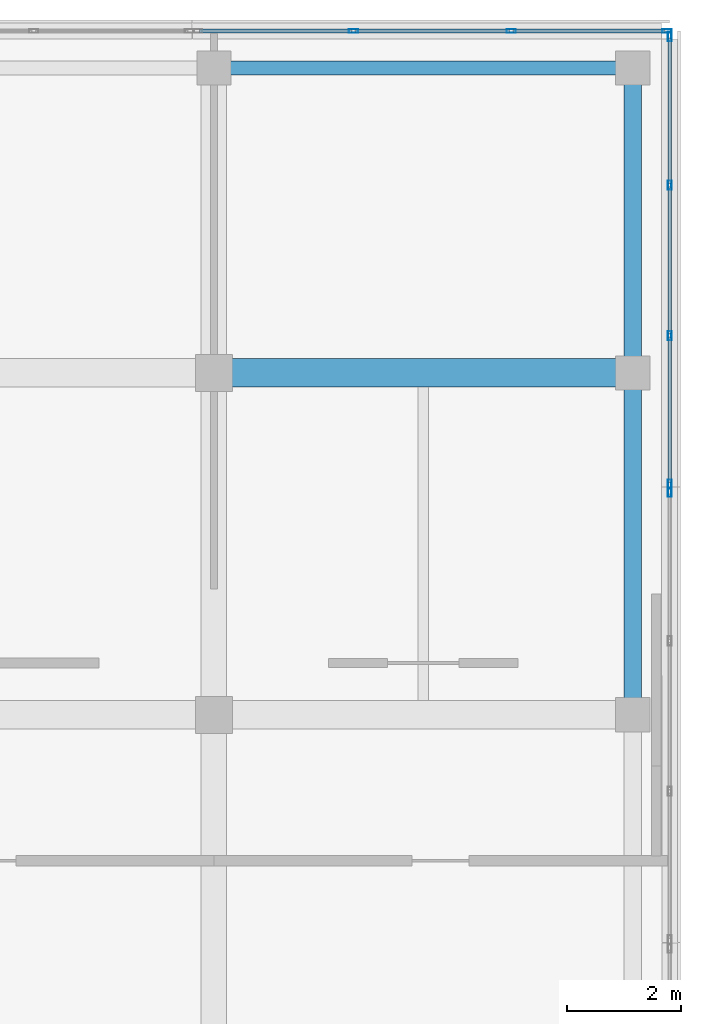
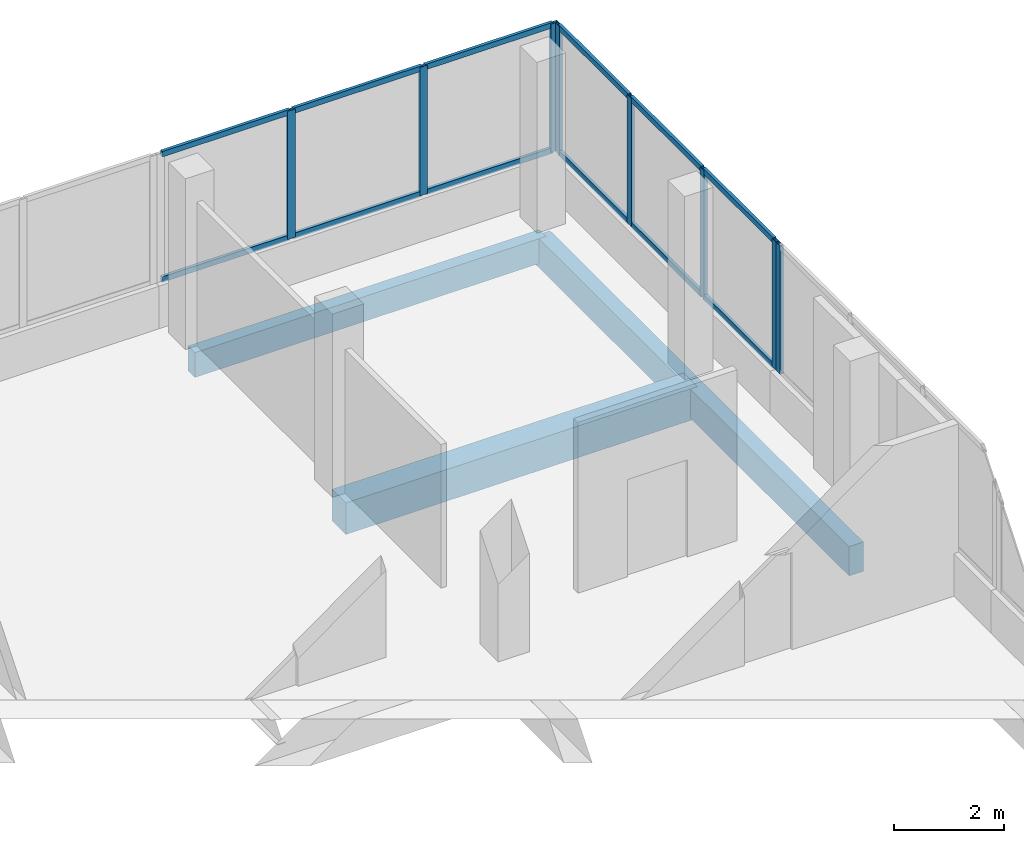
# One storey, part 58 of 78: 20 members, 4 beams, 3 elements without a shape of their own.
"""IFC4 building model written with IfcOpenShell, lengths in metres."""

from ifc_helpers import new_model, si_unit, direction, frame, origin, origin_2d, place, context, subcontext, project, spatial, rectangle, hollow_rectangle, extrude, material, material_profile, profile_set, type_object, element, aggregate, save


model = new_model("IFC4")

# Units and contexts
model_context = context("Model", 3, precision=1e-05, world=origin(), true_north=direction((0.0, 1.0)))
body_context = subcontext(model_context, "Body", "Model", "MODEL_VIEW")
ifc_project = project(units=[si_unit("LENGTHUNIT", "METRE"), si_unit("AREAUNIT", "SQUARE_METRE"), si_unit("VOLUMEUNIT", "CUBIC_METRE"), si_unit("PLANEANGLEUNIT", "RADIAN"), si_unit("MASSUNIT", "GRAM", prefix="KILO")], contexts=[model_context])

# Site, building, storey
site_placement = place(None, origin())
site = spatial("IfcSite", under=ifc_project, at=site_placement, CompositionType="ELEMENT")
building_placement = place(site_placement, origin())
building = spatial("IfcBuilding", under=site, at=building_placement, Name="Selatvlak General Hospital", CompositionType="ELEMENT")
storey_placement = place(building_placement, frame((0.0, 0.0, 23.25)))
storey = spatial("IfcBuildingStorey", under=building, at=storey_placement, Name="L05", CompositionType="ELEMENT", Elevation=23.25)

# Beams
ifc_material_1 = material(Name="Concrete C40/50", Category="concrete")
ifc_material_profile_1 = material_profile(ifc_material_1, rectangle(XDim=0.5, YDim=0.699951171875, at=origin_2d()), Name="RC-BM 500x700")
ifc_profile_set_1 = profile_set([ifc_material_profile_1], Name="Concrete C40/50")
beam_type_1 = type_object("IfcBeamType", Name="BM-G03", PredefinedType="BEAM", material=ifc_profile_set_1)
beam_1_placement = place(storey_placement, frame((174.0, 114.0, -0.6298828125), z_axis=(1.0, 0.0, 0.0), x_axis=(0.0, 1.0, 0.0)))
element("IfcBeam", 1, at=beam_1_placement, inside=storey, type_object=beam_type_1, Name="Beam BMR-L05-1972", PredefinedType="BEAM", context=body_context, shape_type="SweptSolid", body=[
    extrude(rectangle(XDim=0.5, YDim=0.699951171875, at=origin_2d()), origin(), (0.0, 0.0, 1.0), 7.35009765625),
])
ifc_material_profile_2 = material_profile(ifc_material_1, rectangle(XDim=0.300048828125, YDim=0.64990234375, at=origin_2d()), Name="RC-SP 300x650")
ifc_profile_set_2 = profile_set([ifc_material_profile_2], Name="Concrete C40/50")
beam_type_2 = type_object("IfcBeamType", Name="BM-SP1", PredefinedType="SPANDREL", material=ifc_profile_set_2)
beam_2_placement = place(storey_placement, frame((181.35009765625, 108.0, -0.60498046875), z_axis=(0.0, 1.0, 0.0), x_axis=(-1.0, 0.0, 0.0)))
element("IfcBeam", 2, at=beam_2_placement, inside=storey, type_object=beam_type_2, Name="Beam BMR-L05-2113", PredefinedType="SPANDREL", context=body_context, shape_type="SweptSolid", body=[
    extrude(rectangle(XDim=0.300048828125, YDim=0.64990234375, at=origin_2d()), origin(), (0.0, 0.0, 1.0), 6.0),
])
beam_3_placement = place(storey_placement, frame((181.35009765625, 114.0, -0.60498046875), z_axis=(0.0, 1.0, 0.0), x_axis=(-1.0, 0.0, 0.0)))
element("IfcBeam", 3, at=beam_3_placement, inside=storey, type_object=beam_type_2, Name="Beam BMR-L05-2114", PredefinedType="SPANDREL", context=body_context, shape_type="SweptSolid", body=[
    extrude(rectangle(XDim=0.300048828125, YDim=0.64990234375, at=origin_2d()), origin(), (0.0, 0.0, 1.0), 5.35009765625),
])
ifc_material_profile_3 = material_profile(ifc_material_1, rectangle(XDim=0.25, YDim=0.550048828125, at=origin_2d()), Name="RC-SP 250x550")
ifc_profile_set_3 = profile_set([ifc_material_profile_3], Name="Concrete C40/50")
beam_type_3 = type_object("IfcBeamType", Name="BM-SP2", PredefinedType="SPANDREL", material=ifc_profile_set_3)
beam_4_placement = place(storey_placement, frame((174.0, 119.35009765625, -0.554931640625), z_axis=(1.0, 0.0, 0.0), x_axis=(0.0, 1.0, 0.0)))
element("IfcBeam", 4, at=beam_4_placement, inside=storey, type_object=beam_type_3, Name="Beam BMR-L05-1988", PredefinedType="SPANDREL", context=body_context, shape_type="SweptSolid", body=[
    extrude(rectangle(XDim=0.25, YDim=0.550048828125, at=origin_2d()), origin(), (0.0, 0.0, 1.0), 7.35009765625),
])

# Curtain wall, members
ifc_material_2 = material(Name="Solar-control Low-E double glazing", Category="glass")
curtain_wall_type_1 = type_object("IfcCurtainWallType", Name="CW-CW-01", PredefinedType="USERDEFINED", material=ifc_material_2)
curtain_wall_1_placement = place(storey_placement, origin())
curtain_wall_1 = element("IfcCurtainWall", 5, at=curtain_wall_1_placement, inside=storey, type_object=curtain_wall_type_1, Name="Glazed facade curtain wall CW-L05-0565", ObjectType="UNITISED CURTAIN WALL", PredefinedType="USERDEFINED")
ifc_material_3 = material(Name="Dark anodised aluminium mullion", Category="aluminium")
ifc_material_profile_4 = material_profile(ifc_material_3, hollow_rectangle(XDim=0.06494140625, YDim=0.159912109375, WallThickness=0.00390625, at=origin_2d()), Name="AL-MUL 65x160x4")
ifc_profile_set_4 = profile_set([ifc_material_profile_4], Name="Dark anodised aluminium mullion")
member_type_1 = type_object("IfcMemberType", Name="CWM-01", PredefinedType="MULLION", material=ifc_profile_set_4)
member_1_placement = place(storey_placement, frame((176.451416015625, 120.0, 0.93994140625), z_axis=(0.0, 0.0, 1.0), x_axis=(0.0, 1.0, 0.0)))
member_1 = element("IfcMember", 6, at=member_1_placement, type_object=member_type_1, Name="CW-01 mullion 2", PredefinedType="MULLION", context=body_context, shape_type="SweptSolid", body=[
    extrude(hollow_rectangle(XDim=0.06494140625, YDim=0.159912109375, WallThickness=0.00390625, at=origin_2d()), origin(), (0.0, 0.0, 1.0), 2.8349609375),
])
member_2_placement = place(storey_placement, frame((179.2177734375, 120.0, 0.93994140625), z_axis=(0.0, 0.0, 1.0), x_axis=(0.0, 1.0, 0.0)))
member_2 = element("IfcMember", 7, at=member_2_placement, type_object=member_type_1, Name="CW-01 mullion 3", PredefinedType="MULLION", context=body_context, shape_type="SweptSolid", body=[
    extrude(hollow_rectangle(XDim=0.06494140625, YDim=0.159912109375, WallThickness=0.00390625, at=origin_2d()), origin(), (0.0, 0.0, 1.0), 2.8349609375),
])
member_3_placement = place(storey_placement, frame((181.951416015625, 120.0, 0.93994140625), z_axis=(0.0, 0.0, 1.0), x_axis=(0.0, 1.0, 0.0)))
member_3 = element("IfcMember", 8, at=member_3_placement, type_object=member_type_1, Name="CW-01 mullion 4", PredefinedType="MULLION", context=body_context, shape_type="SweptSolid", body=[
    extrude(hollow_rectangle(XDim=0.06494140625, YDim=0.159912109375, WallThickness=0.00390625, at=origin_2d()), origin(), (0.0, 0.0, 1.0), 2.8349609375),
])

curtain_wall_2_placement = place(storey_placement, origin())
curtain_wall_2 = element("IfcCurtainWall", 9, at=curtain_wall_2_placement, inside=storey, type_object=curtain_wall_type_1, Name="Glazed facade curtain wall CW-L05-0566", ObjectType="UNITISED CURTAIN WALL", PredefinedType="USERDEFINED")
member_4_placement = place(storey_placement, frame((181.9990234375, 119.902587890625, 0.93994140625), z_axis=(0.0, 0.0, 1.0), x_axis=(1.0, 0.0, 0.0)))
member_4 = element("IfcMember", 10, at=member_4_placement, type_object=member_type_1, Name="CW-01 mullion 1", PredefinedType="MULLION", context=body_context, shape_type="SweptSolid", body=[
    extrude(hollow_rectangle(XDim=0.06494140625, YDim=0.159912109375, WallThickness=0.00390625, at=origin_2d()), origin(), (0.0, 0.0, 1.0), 2.8349609375),
])
member_5_placement = place(storey_placement, frame((181.9990234375, 117.294921875, 0.93994140625), z_axis=(0.0, 0.0, 1.0), x_axis=(1.0, 0.0, 0.0)))
member_5 = element("IfcMember", 11, at=member_5_placement, type_object=member_type_1, Name="CW-01 mullion 2", PredefinedType="MULLION", context=body_context, shape_type="SweptSolid", body=[
    extrude(hollow_rectangle(XDim=0.06494140625, YDim=0.159912109375, WallThickness=0.00390625, at=origin_2d()), origin(), (0.0, 0.0, 1.0), 2.8349609375),
])
member_6_placement = place(storey_placement, frame((181.9990234375, 114.655029296875, 0.93994140625), z_axis=(0.0, 0.0, 1.0), x_axis=(1.0, 0.0, 0.0)))
member_6 = element("IfcMember", 12, at=member_6_placement, type_object=member_type_1, Name="CW-01 mullion 3", PredefinedType="MULLION", context=body_context, shape_type="SweptSolid", body=[
    extrude(hollow_rectangle(XDim=0.06494140625, YDim=0.159912109375, WallThickness=0.00390625, at=origin_2d()), origin(), (0.0, 0.0, 1.0), 2.8349609375),
])
member_7_placement = place(storey_placement, frame((181.9990234375, 112.047607421875, 0.93994140625), z_axis=(0.0, 0.0, 1.0), x_axis=(1.0, 0.0, 0.0)))
member_7 = element("IfcMember", 13, at=member_7_placement, type_object=member_type_1, Name="CW-01 mullion 4", PredefinedType="MULLION", context=body_context, shape_type="SweptSolid", body=[
    extrude(hollow_rectangle(XDim=0.06494140625, YDim=0.159912109375, WallThickness=0.00390625, at=origin_2d()), origin(), (0.0, 0.0, 1.0), 2.8349609375),
])

# Curtain wall, member
curtain_wall_type_2 = type_object("IfcCurtainWallType", Name="CW-CW-02", PredefinedType="USERDEFINED", material=ifc_material_2)
curtain_wall_3_placement = place(storey_placement, origin())
curtain_wall_3 = element("IfcCurtainWall", 14, at=curtain_wall_3_placement, inside=storey, type_object=curtain_wall_type_2, Name="Glazed facade curtain wall CW-L05-0567", ObjectType="UNITISED CURTAIN WALL", PredefinedType="USERDEFINED")
member_8_placement = place(storey_placement, frame((181.9990234375, 111.902587890625, 0.93994140625), z_axis=(0.0, 0.0, 1.0), x_axis=(0.999999992027, 0.000126278568, 0.0)))
member_8 = element("IfcMember", 15, at=member_8_placement, type_object=member_type_1, Name="CW-02 mullion 1", PredefinedType="MULLION", context=body_context, shape_type="SweptSolid", body=[
    extrude(hollow_rectangle(XDim=0.06494140625, YDim=0.159912109375, WallThickness=0.00390625, at=origin_2d()), origin(), (0.0, 0.0, 1.0), 2.8349609375),
])
aggregate(curtain_wall_3, [member_8])

# Member
ifc_material_profile_5 = material_profile(ifc_material_3, hollow_rectangle(XDim=0.06494140625, YDim=0.1201171875, WallThickness=0.00390625, at=origin_2d()), Name="AL-TRN 65x120x4")
ifc_profile_set_5 = profile_set([ifc_material_profile_5], Name="Dark anodised aluminium mullion")
member_type_2 = type_object("IfcMemberType", Name="CWT-01", PredefinedType="USERDEFINED", material=ifc_profile_set_5)
member_9_placement = place(storey_placement, frame((173.75, 120.0, 0.972412109375), z_axis=(1.0, 0.0, 0.0), x_axis=(0.0, 1.0, 0.0)))
member_9 = element("IfcMember", 16, at=member_9_placement, type_object=member_type_2, Name="CW-01 transom 1.1", ObjectType="TRANSOM", PredefinedType="USERDEFINED", context=body_context, shape_type="SweptSolid", body=[
    extrude(hollow_rectangle(XDim=0.06494140625, YDim=0.1201171875, WallThickness=0.00390625, at=origin_2d()), origin(), (0.0, 0.0, 1.0), 2.6689453125),
])

member_10_placement = place(storey_placement, frame((173.75, 120.0, 3.742431640625), z_axis=(1.0, 0.0, 0.0), x_axis=(0.0, 1.0, 0.0)))
member_10 = element("IfcMember", 17, at=member_10_placement, type_object=member_type_2, Name="CW-01 transom 1.2", ObjectType="TRANSOM", PredefinedType="USERDEFINED", context=body_context, shape_type="SweptSolid", body=[
    extrude(hollow_rectangle(XDim=0.06494140625, YDim=0.1201171875, WallThickness=0.00390625, at=origin_2d()), origin(), (0.0, 0.0, 1.0), 2.6689453125),
])

member_11_placement = place(storey_placement, frame((176.48388671875, 120.0, 0.972412109375), z_axis=(1.0, 0.0, 0.0), x_axis=(0.0, 1.0, 0.0)))
member_11 = element("IfcMember", 18, at=member_11_placement, type_object=member_type_2, Name="CW-01 transom 2.1", ObjectType="TRANSOM", PredefinedType="USERDEFINED", context=body_context, shape_type="SweptSolid", body=[
    extrude(hollow_rectangle(XDim=0.06494140625, YDim=0.1201171875, WallThickness=0.00390625, at=origin_2d()), origin(), (0.0, 0.0, 1.0), 2.701171875),
])

member_12_placement = place(storey_placement, frame((176.48388671875, 120.0, 3.742431640625), z_axis=(1.0, 0.0, 0.0), x_axis=(0.0, 1.0, 0.0)))
member_12 = element("IfcMember", 19, at=member_12_placement, type_object=member_type_2, Name="CW-01 transom 2.2", ObjectType="TRANSOM", PredefinedType="USERDEFINED", context=body_context, shape_type="SweptSolid", body=[
    extrude(hollow_rectangle(XDim=0.06494140625, YDim=0.1201171875, WallThickness=0.00390625, at=origin_2d()), origin(), (0.0, 0.0, 1.0), 2.701171875),
])

member_13_placement = place(storey_placement, frame((179.250244140625, 120.0, 0.972412109375), z_axis=(1.0, 0.0, 0.0), x_axis=(0.0, 1.0, 0.0)))
member_13 = element("IfcMember", 20, at=member_13_placement, type_object=member_type_2, Name="CW-01 transom 3.1", ObjectType="TRANSOM", PredefinedType="USERDEFINED", context=body_context, shape_type="SweptSolid", body=[
    extrude(hollow_rectangle(XDim=0.06494140625, YDim=0.1201171875, WallThickness=0.00390625, at=origin_2d()), origin(), (0.0, 0.0, 1.0), 2.668701171875),
])

member_14_placement = place(storey_placement, frame((179.250244140625, 120.0, 3.742431640625), z_axis=(1.0, 0.0, 0.0), x_axis=(0.0, 1.0, 0.0)))
member_14 = element("IfcMember", 21, at=member_14_placement, type_object=member_type_2, Name="CW-01 transom 3.2", ObjectType="TRANSOM", PredefinedType="USERDEFINED", context=body_context, shape_type="SweptSolid", body=[
    extrude(hollow_rectangle(XDim=0.06494140625, YDim=0.1201171875, WallThickness=0.00390625, at=origin_2d()), origin(), (0.0, 0.0, 1.0), 2.668701171875),
])

aggregate(curtain_wall_1, [member_1, member_2, member_3, member_9, member_10, member_11, member_12, member_13, member_14])

member_15_placement = place(storey_placement, frame((181.9990234375, 119.8701171875, 0.972412109375), z_axis=(0.0, -1.0, 0.0), x_axis=(1.0, 0.0, 0.0)))
member_15 = element("IfcMember", 22, at=member_15_placement, type_object=member_type_2, Name="CW-01 transom 1.1", ObjectType="TRANSOM", PredefinedType="USERDEFINED", context=body_context, shape_type="SweptSolid", body=[
    extrude(hollow_rectangle(XDim=0.06494140625, YDim=0.1201171875, WallThickness=0.00390625, at=origin_2d()), origin(), (0.0, 0.0, 1.0), 2.542724609375),
])

member_16_placement = place(storey_placement, frame((181.9990234375, 119.8701171875, 3.742431640625), z_axis=(0.0, -1.0, 0.0), x_axis=(1.0, 0.0, 0.0)))
member_16 = element("IfcMember", 23, at=member_16_placement, type_object=member_type_2, Name="CW-01 transom 1.2", ObjectType="TRANSOM", PredefinedType="USERDEFINED", context=body_context, shape_type="SweptSolid", body=[
    extrude(hollow_rectangle(XDim=0.06494140625, YDim=0.1201171875, WallThickness=0.00390625, at=origin_2d()), origin(), (0.0, 0.0, 1.0), 2.542724609375),
])

member_17_placement = place(storey_placement, frame((181.9990234375, 117.262451171875, 0.972412109375), z_axis=(0.0, -1.0, 0.0), x_axis=(1.0, 0.0, 0.0)))
member_17 = element("IfcMember", 24, at=member_17_placement, type_object=member_type_2, Name="CW-01 transom 2.1", ObjectType="TRANSOM", PredefinedType="USERDEFINED", context=body_context, shape_type="SweptSolid", body=[
    extrude(hollow_rectangle(XDim=0.06494140625, YDim=0.1201171875, WallThickness=0.00390625, at=origin_2d()), origin(), (0.0, 0.0, 1.0), 2.574951171875),
])

member_18_placement = place(storey_placement, frame((181.9990234375, 117.262451171875, 3.742431640625), z_axis=(0.0, -1.0, 0.0), x_axis=(1.0, 0.0, 0.0)))
member_18 = element("IfcMember", 25, at=member_18_placement, type_object=member_type_2, Name="CW-01 transom 2.2", ObjectType="TRANSOM", PredefinedType="USERDEFINED", context=body_context, shape_type="SweptSolid", body=[
    extrude(hollow_rectangle(XDim=0.06494140625, YDim=0.1201171875, WallThickness=0.00390625, at=origin_2d()), origin(), (0.0, 0.0, 1.0), 2.574951171875),
])

member_19_placement = place(storey_placement, frame((181.9990234375, 114.62255859375, 0.972412109375), z_axis=(0.0, -1.0, 0.0), x_axis=(1.0, 0.0, 0.0)))
member_19 = element("IfcMember", 26, at=member_19_placement, type_object=member_type_2, Name="CW-01 transom 3.1", ObjectType="TRANSOM", PredefinedType="USERDEFINED", context=body_context, shape_type="SweptSolid", body=[
    extrude(hollow_rectangle(XDim=0.06494140625, YDim=0.1201171875, WallThickness=0.00390625, at=origin_2d()), origin(), (0.0, 0.0, 1.0), 2.54248046875),
])

member_20_placement = place(storey_placement, frame((181.9990234375, 114.62255859375, 3.742431640625), z_axis=(0.0, -1.0, 0.0), x_axis=(1.0, 0.0, 0.0)))
member_20 = element("IfcMember", 27, at=member_20_placement, type_object=member_type_2, Name="CW-01 transom 3.2", ObjectType="TRANSOM", PredefinedType="USERDEFINED", context=body_context, shape_type="SweptSolid", body=[
    extrude(hollow_rectangle(XDim=0.06494140625, YDim=0.1201171875, WallThickness=0.00390625, at=origin_2d()), origin(), (0.0, 0.0, 1.0), 2.54248046875),
])

aggregate(curtain_wall_2, [member_4, member_5, member_6, member_7, member_15, member_16, member_17, member_18, member_19, member_20])

save(model, "model.ifc")
